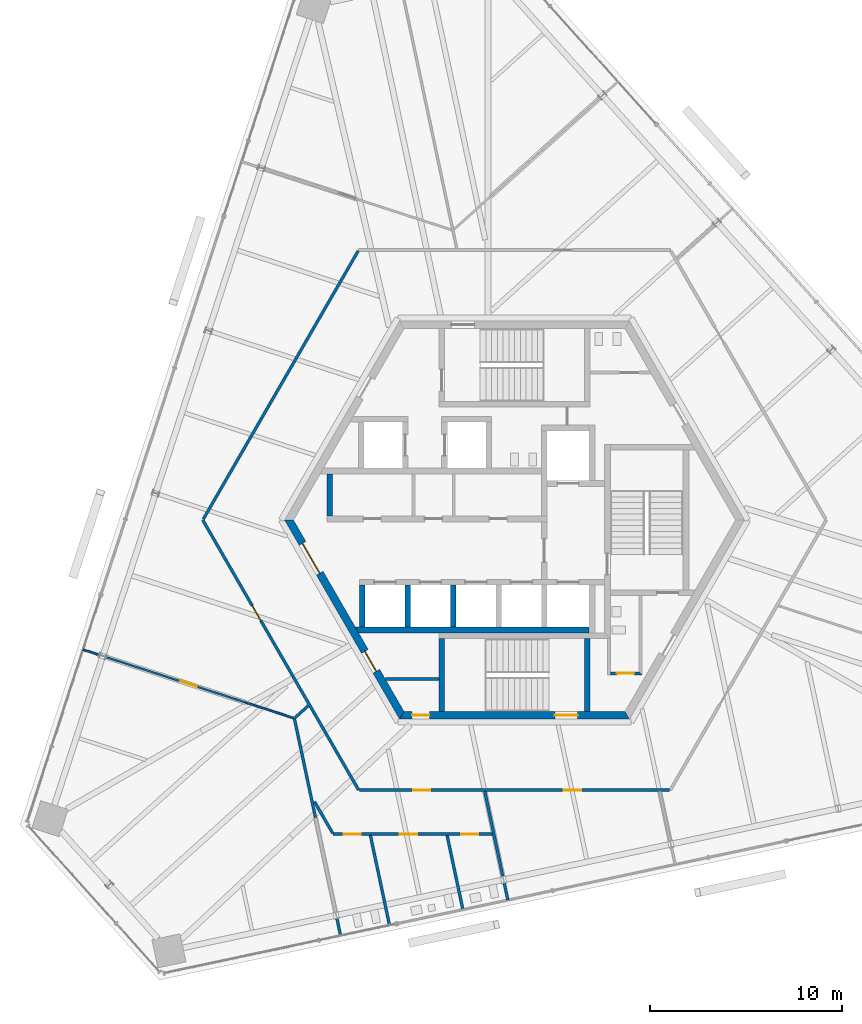
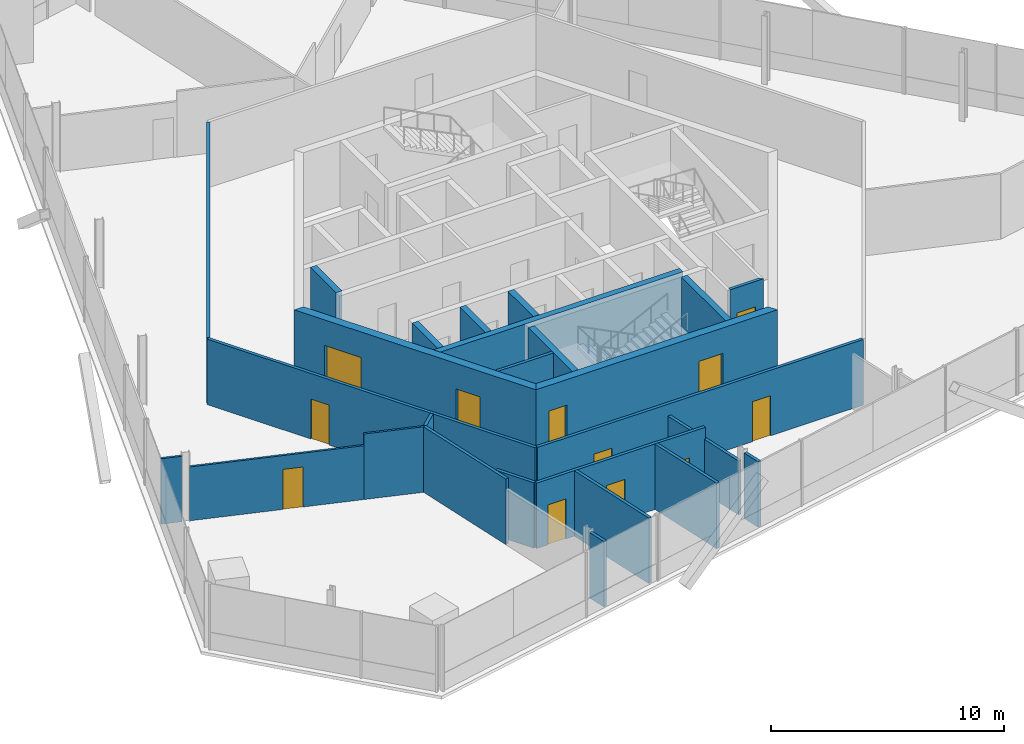
# One storey, part 10 of 15: 26 walls, 12 doors, 12 openings.
"""IFC4 building model written with IfcOpenShell, lengths in metres."""

import ifcopenshell
import ifcopenshell.guid

model = None  # the IFC model being written
_history = None  # IfcOwnerHistory: only IFC2X3 demands one
_inside = {}  # id of a spatial element -> (the spatial element, [elements in it])
_under = {}  # id of a project, library or spatial element -> (it, [spatial elements below it])
_declared = {}  # id of a project -> (the project, [libraries it declares])
_typed = {}  # id of a type object -> (the type object, [elements of that type])
_made_of = {}  # id of a material, layer set ... -> (it, [elements and type objects made of it])


def new_model(schema):
    """Start an empty IFC model of exactly this schema.

    Asked for "IFC4X3", IfcOpenShell would pick the latest addendum, in which some entities
    have other attributes; the version numbers below select the first issue.
    IFC2X3 requires an IfcOwnerHistory on every rooted entity: one is made here for all.
    """
    global model, _history
    if schema == "IFC4X3":
        model = ifcopenshell.file(schema_version=(4, 3, 0, 0))
    else:
        model = ifcopenshell.file(schema=schema)
    _inside.clear()
    _under.clear()
    _declared.clear()
    _typed.clear()
    _made_of.clear()
    _history = None
    if model.schema == "IFC2X3":
        org = make("IfcOrganization", Name="unknown")
        user = make(
            "IfcPersonAndOrganization",
            ThePerson=make("IfcPerson", FamilyName="unknown"),
            TheOrganization=org,
        )
        app = make(
            "IfcApplication",
            ApplicationDeveloper=org,
            Version="unknown",
            ApplicationFullName="unknown",
            ApplicationIdentifier="unknown",
        )
        _history = make(
            "IfcOwnerHistory",
            OwningUser=user,
            OwningApplication=app,
            ChangeAction="ADDED",
            CreationDate=0,
        )
    return model


def make(cls, **values):
    """One entity of the class cls with the attributes given. An attribute that is None is left unset."""
    return model.create_entity(
        cls, **{name: value for name, value in values.items() if value is not None}
    )


def rooted(cls, **values):
    """An entity with a GlobalId (a new one), such as an element, a storey or a relation."""
    return make(cls, GlobalId=ifcopenshell.guid.new(), OwnerHistory=_history, **values)


def si_unit(unit_type, name, prefix=None):
    """IfcSIUnit, for example si_unit("LENGTHUNIT", "METRE", prefix="MILLI")."""
    return make("IfcSIUnit", UnitType=unit_type, Prefix=prefix, Name=name)


def assignment(units):
    """IfcUnitAssignment: the units of a project."""
    return None if units is None else make("IfcUnitAssignment", Units=units)


def point(xyz):
    """IfcCartesianPoint."""
    return None if xyz is None else make("IfcCartesianPoint", Coordinates=xyz)


def direction(xyz):
    """IfcDirection."""
    return None if xyz is None else make("IfcDirection", DirectionRatios=xyz)


def frame(location, z_axis=None, x_axis=None):
    """IfcAxis2Placement3D, a coordinate frame: its origin and axes. An axis left out is left unset."""
    return make(
        "IfcAxis2Placement3D",
        Location=point(location),
        Axis=direction(z_axis),
        RefDirection=direction(x_axis),
    )


def frame_2d(location, x_axis=None):
    """IfcAxis2Placement2D, a coordinate frame in the plane: its origin and x axis."""
    return make(
        "IfcAxis2Placement2D", Location=point(location), RefDirection=direction(x_axis)
    )


def origin():
    """The frame at (0, 0, 0) with its axes left unset."""
    return frame((0.0, 0.0, 0.0))


def place(relative_to, where):
    """IfcLocalPlacement: puts the frame where relative to a parent placement (None: the world)."""
    return make(
        "IfcLocalPlacement", PlacementRelTo=relative_to, RelativePlacement=where
    )


def context(
    kind, dimensions, precision=None, world=None, true_north=None, identifier=None
):
    """IfcGeometricRepresentationContext, for example the 3D "Model" context."""
    return make(
        "IfcGeometricRepresentationContext",
        ContextIdentifier=identifier,
        ContextType=kind,
        CoordinateSpaceDimension=dimensions,
        Precision=precision,
        WorldCoordinateSystem=world,
        TrueNorth=true_north,
    )


def subcontext(parent, identifier, kind, view, scale=None):
    """IfcGeometricRepresentationSubContext, for example "Body" below "Model"."""
    return make(
        "IfcGeometricRepresentationSubContext",
        ContextIdentifier=identifier,
        ContextType=kind,
        ParentContext=parent,
        TargetScale=scale,
        TargetView=view,
    )


def project(units=None, contexts=None):
    """IfcProject with its units and contexts."""
    return rooted(
        "IfcProject",
        Name="project",
        RepresentationContexts=contexts,
        UnitsInContext=assignment(units),
    )


def spatial(cls, under=None, at=None, **own):
    """A site, building, storey or space (cls), placed at a placement, below another one or the project."""
    s = rooted(cls, ObjectPlacement=at, **own)
    if under is not None:
        _under.setdefault(under.id(), (under, []))[1].append(s)
    return s


def polyline(points):
    """IfcPolyline through the points."""
    return make("IfcPolyline", Points=[point(p) for p in points])


def profile(cls, at=None, kind="AREA", **sizes):
    """A parametric profile (cls). Its sizes go by their IFC names, for example OverallWidth=200.0."""
    return make(cls, ProfileType=kind, Position=at, **sizes)


def rectangle(**sizes):
    """IfcRectangleProfileDef."""
    return profile("IfcRectangleProfileDef", **sizes)


def outline(outer, holes=None, kind="AREA"):
    """IfcArbitraryClosedProfileDef: a profile drawn as a closed curve; with holes, ...WithVoids."""
    if holes is None:
        return make("IfcArbitraryClosedProfileDef", ProfileType=kind, OuterCurve=outer)
    return make(
        "IfcArbitraryProfileDefWithVoids",
        ProfileType=kind,
        OuterCurve=outer,
        InnerCurves=holes,
    )


def extrude(swept, where, along, depth):
    """IfcExtrudedAreaSolid: the profile swept, set in the frame where, extruded along a direction by depth."""
    return make(
        "IfcExtrudedAreaSolid",
        SweptArea=swept,
        Position=where,
        ExtrudedDirection=direction(along),
        Depth=depth,
    )


def shape(context_of_items, identifier, shape_type, items):
    """IfcShapeRepresentation: the items that make up one representation, for example the "Body"."""
    return make(
        "IfcShapeRepresentation",
        ContextOfItems=context_of_items,
        RepresentationIdentifier=identifier,
        RepresentationType=shape_type,
        Items=items,
    )


def source(mapping_origin, context_of_items, identifier, shape_type, items):
    """IfcRepresentationMap: a shape defined once, which mapped items show again and again."""
    return make(
        "IfcRepresentationMap",
        MappingOrigin=mapping_origin,
        MappedRepresentation=shape(context_of_items, identifier, shape_type, items),
    )


def transform(
    local_origin,
    x_axis=None,
    y_axis=None,
    z_axis=None,
    scale=None,
    scale2=None,
    scale3=None,
    uniform=True,
):
    """IfcCartesianTransformationOperator3D, or its non-uniform kind. x_axis, y_axis, z_axis: its Axis1, 2, 3."""
    if uniform:
        return make(
            "IfcCartesianTransformationOperator3D",
            Axis1=direction(x_axis),
            Axis2=direction(y_axis),
            LocalOrigin=point(local_origin),
            Scale=scale,
            Axis3=direction(z_axis),
        )
    return make(
        "IfcCartesianTransformationOperator3DnonUniform",
        Axis1=direction(x_axis),
        Axis2=direction(y_axis),
        LocalOrigin=point(local_origin),
        Scale=scale,
        Axis3=direction(z_axis),
        Scale2=scale2,
        Scale3=scale3,
    )


def mapped(mapping_source, mapping_target):
    """IfcMappedItem: shows the shape of a source again, moved by a transform."""
    return make(
        "IfcMappedItem", MappingSource=mapping_source, MappingTarget=mapping_target
    )


def material(Name=None, Category=None):
    """IfcMaterial."""
    return make("IfcMaterial", Name=Name, Category=Category)


def layer(
    of_material, thickness, ventilated=None, Name=None, Category=None, Priority=None
):
    """IfcMaterialLayer: one layer of a wall or slab, of a material (None: an air gap)."""
    return make(
        "IfcMaterialLayer",
        Material=of_material,
        LayerThickness=thickness,
        IsVentilated=ventilated,
        Name=Name,
        Category=Category,
        Priority=Priority,
    )


def layer_set(layers, Name=None):
    """IfcMaterialLayerSet."""
    return make("IfcMaterialLayerSet", MaterialLayers=layers, LayerSetName=Name)


def made_of(thing, what):
    """Note that an element or type object is made of a material, layer set ...; save() writes the relation."""
    if what is not None:
        _made_of.setdefault(what.id(), (what, []))[1].append(thing)
    return thing


def type_object(cls, material=None, **own):
    """A type object (cls), such as IfcWallType, which elements share."""
    return made_of(rooted(cls, **own), material)


def element(
    cls,
    number,
    at=None,
    inside=None,
    cuts=None,
    type_object=None,
    material=None,
    context=None,
    identifier="Body",
    shape_type=None,
    held_by="IfcProductDefinitionShape",
    body=None,
    shapes=None,
    **own,
):
    """One element of the class cls, such as IfcWall. Its Tag is "e" and its number.

    at: its placement. inside: the storey or other place that contains it. cuts: it is an
    opening in that element (IfcRelVoidsElement). A single representation is given by context,
    identifier, shape_type and body (its items); several are given by shapes. held_by: the class
    of the entity that holds the representations. save() writes the other relations.
    """
    e = rooted(cls, Tag="e%d" % number, ObjectPlacement=at, **own)
    if body is not None:
        shapes = [shape(context, identifier, shape_type, body)]
    if shapes is not None:
        e.Representation = make(held_by, Representations=shapes)
    if inside is not None:
        _inside.setdefault(inside.id(), (inside, []))[1].append(e)
    if cuts is not None:
        rooted(
            "IfcRelVoidsElement", RelatingBuildingElement=cuts, RelatedOpeningElement=e
        )
    if type_object is not None:
        _typed.setdefault(type_object.id(), (type_object, []))[1].append(e)
    return made_of(e, material)


def fill(opening, filler):
    """IfcRelFillsElement: the door or window that sits in an opening."""
    return rooted(
        "IfcRelFillsElement",
        RelatingOpeningElement=opening,
        RelatedBuildingElement=filler,
    )


def aggregate(whole, parts):
    """IfcRelAggregates: a whole, such as a stair, and the parts it consists of."""
    return rooted("IfcRelAggregates", RelatingObject=whole, RelatedObjects=parts)


def save(model, path):
    """Write the relations noted so far, then the file.

    IfcRelAggregates (storeys below a building ...), IfcRelContainedInSpatialStructure (elements
    in a storey), IfcRelDefinesByType, IfcRelAssociatesMaterial and IfcRelDeclares: one each for
    every whole, place, type object, material and project.
    """
    for whole, parts in _under.values():
        aggregate(whole, parts)
    for where, things in _inside.values():
        rooted(
            "IfcRelContainedInSpatialStructure",
            RelatedElements=things,
            RelatingStructure=where,
        )
    for kind, things in _typed.values():
        rooted("IfcRelDefinesByType", RelatedObjects=things, RelatingType=kind)
    for what, things in _made_of.values():
        rooted("IfcRelAssociatesMaterial", RelatedObjects=things, RelatingMaterial=what)
    for by, libraries in _declared.values():
        rooted("IfcRelDeclares", RelatingContext=by, RelatedDefinitions=libraries)
    model.write(path)


model = new_model("IFC4")

# Units and contexts
model_context = context("Model", 3, precision=1e-05, world=origin(), true_north=direction((0.0, 1.0)))
body_context = subcontext(model_context, "Body", "Model", "MODEL_VIEW")
ifc_project = project(units=[si_unit("LENGTHUNIT", "METRE"), si_unit("AREAUNIT", "SQUARE_METRE"), si_unit("VOLUMEUNIT", "CUBIC_METRE"), si_unit("PLANEANGLEUNIT", "RADIAN"), si_unit("MASSUNIT", "GRAM", prefix="KILO")], contexts=[model_context])

# Site, building, storey
site_placement = place(None, origin())
site = spatial("IfcSite", under=ifc_project, at=site_placement, CompositionType="ELEMENT")
building_placement = place(site_placement, origin())
building = spatial("IfcBuilding", under=site, at=building_placement, Name="Triune Harvest Tower", CompositionType="ELEMENT")
storey_placement = place(building_placement, frame((0.0, 0.0, 270.300048828125)))
storey = spatial("IfcBuildingStorey", under=building, at=storey_placement, Name="L71", CompositionType="ELEMENT", Elevation=270.300048828125)

# Walls
ifc_material_1 = material(Name="Gypsum board on steel studs", Category="steel")
ifc_layer_1 = layer(ifc_material_1, 0.14990234375)
ifc_layer_set_1 = layer_set([ifc_layer_1], Name="Gypsum board on steel studs")
wall_type_1 = type_object("IfcWallType", Name="Fire Partition 150 mm", PredefinedType="PARTITIONING", material=ifc_layer_set_1)
wall_1_placement = place(storey_placement, frame((-11.491943359375, -10.34716796875, 0.0), z_axis=(0.0, 0.0, 1.0), x_axis=(0.207927618858, -0.978144214989, 0.0)))
element("IfcWall", 1, at=wall_1_placement, inside=storey, type_object=wall_type_1, Name="Partition L71 001", PredefinedType="PARTITIONING", context=body_context, shape_type="SweptSolid", body=[
    extrude(rectangle(XDim=5.300048828125, YDim=0.14990234375, at=frame_2d((2.64990234375, 0.0))), origin(), (0.0, 0.0, 1.0), 3.43994140625),
])
wall_2_placement = place(storey_placement, frame((-7.522705078125, -16.460693359375, 0.0), z_axis=(0.0, 0.0, 1.0), x_axis=(0.207876422893, -0.978155096498, 0.0)))
element("IfcWall", 2, at=wall_2_placement, inside=storey, type_object=wall_type_1, Name="Partition L71 003", PredefinedType="PARTITIONING", context=body_context, shape_type="SweptSolid", body=[
    extrude(rectangle(XDim=4.79296875, YDim=0.14990234375, at=frame_2d((2.396484375, 0.0))), origin(), (0.0, 0.0, 1.0), 3.43994140625),
])
wall_3_placement = place(storey_placement, frame((-3.5185546875, -16.460693359375, 0.0), z_axis=(0.0, 0.0, 1.0), x_axis=(0.207861704825, -0.97815822425, 0.0)))
element("IfcWall", 3, at=wall_3_placement, inside=storey, type_object=wall_type_1, Name="Partition L71 004", PredefinedType="PARTITIONING", context=body_context, shape_type="SweptSolid", body=[
    extrude(rectangle(XDim=3.96044921875, YDim=0.14990234375, at=frame_2d((1.980224609375, 0.0))), origin(), (0.0, 0.0, 1.0), 3.43994140625),
])
wall_4_placement = place(storey_placement, frame((-1.5537109375, -14.160888671875, 0.0), z_axis=(0.0, 0.0, 1.0), x_axis=(0.207856186366, -0.978159396923, 0.0)))
element("IfcWall", 4, at=wall_4_placement, inside=storey, type_object=wall_type_1, Name="Partition L71 005", PredefinedType="PARTITIONING", context=body_context, shape_type="SweptSolid", body=[
    extrude(rectangle(XDim=4.545654296875, YDim=0.14990234375, at=frame_2d((2.27294921875, 0.0))), origin(), (0.0, 0.0, 1.0), 2.82763671875),
])
wall_5_placement = place(storey_placement, frame((-10.4384765625, -14.70458984375, 0.0), z_axis=(0.0, 0.0, 1.0), x_axis=(0.499996970966, -0.866027152591, 0.0)))
element("IfcWall", 5, at=wall_5_placement, inside=storey, type_object=wall_type_1, Name="Partition L71 011", PredefinedType="PARTITIONING", context=body_context, shape_type="SweptSolid", body=[
    extrude(rectangle(XDim=1.89892578125, YDim=0.14990234375, at=frame_2d((0.949462890625, 0.0))), origin(), (0.0, 0.0, 1.0), 3.43994140625),
])

# Wall, openings, doors
wall_6_placement = place(storey_placement, frame((-9.464111328125, -16.392333984375, 0.0), z_axis=(0.0, 0.0, 1.0), x_axis=(1.0, 0.0, 0.0)))
wall_6 = element("IfcWall", 6, at=wall_6_placement, inside=storey, type_object=wall_type_1, Name="Partition L71 020", PredefinedType="PARTITIONING", context=body_context, shape_type="SweptSolid", body=[
    extrude(rectangle(XDim=8.384521484375, YDim=0.14990234375, at=frame_2d((4.1923828125, 0.0))), origin(), (0.0, 0.0, 1.0), 3.43994140625),
])
opening_1_placement = place(wall_6_placement, frame((0.550048828125, 0.0, 0.0)))
opening_1 = element("IfcOpeningElement", 7, at=opening_1_placement, cuts=wall_6, Name="Opening L71-008", PredefinedType="OPENING", context=body_context, shape_type="SweptSolid", body=[
    extrude(rectangle(XDim=0.89990234375, YDim=2.10009765625, at=frame_2d((0.449951171875, 1.050048828125))), frame((0.0, 0.0849609375, 0.0), z_axis=(0.0, -1.0, 0.0), x_axis=(1.0, 0.0, 0.0)), (0.0, 0.0, 1.0), 0.169921875),
])
opening_2_placement = place(wall_6_placement, frame((3.476806640625, 0.0, 0.0)))
opening_2 = element("IfcOpeningElement", 8, at=opening_2_placement, cuts=wall_6, Name="Opening L71-009", PredefinedType="OPENING", context=body_context, shape_type="SweptSolid", body=[
    extrude(rectangle(XDim=0.89990234375, YDim=2.10009765625, at=frame_2d((0.449951171875, 1.050048828125))), frame((0.0, 0.0849609375, 0.0), z_axis=(0.0, -1.0, 0.0), x_axis=(1.0, 0.0, 0.0)), (0.0, 0.0, 1.0), 0.169921875),
])
opening_3_placement = place(wall_6_placement, frame((6.680908203125, 0.0, 0.0)))
opening_3 = element("IfcOpeningElement", 9, at=opening_3_placement, cuts=wall_6, Name="Opening L71-010", PredefinedType="OPENING", context=body_context, shape_type="SweptSolid", body=[
    extrude(rectangle(XDim=0.89990234375, YDim=2.10009765625, at=frame_2d((0.449951171875, 1.050048828125))), frame((0.0, 0.0849609375, 0.0), z_axis=(0.0, -1.0, 0.0), x_axis=(1.0, 0.0, 0.0)), (0.0, 0.0, 1.0), 0.169921875),
])
ifc_material_2 = material(Name="Timber and steel door set", Category="steel")
door_type_1 = type_object("IfcDoorType", Name="Single leaf door FD30 left hand 900 x 2100", OperationType="SINGLE_SWING_LEFT", PredefinedType="DOOR", material=ifc_material_2)
door_1_placement = place(opening_3_placement, origin())
door_1 = element("IfcDoor", 10, at=door_1_placement, inside=storey, type_object=door_type_1, Name="Door L71-010 Accessible WC 71.10", OperationType="SINGLE_SWING_LEFT", OverallHeight=2.10009765625, OverallWidth=0.89990234375, PredefinedType="DOOR", context=body_context, shape_type="SweptSolid", body=[
    extrude(rectangle(XDim=0.89990234375, YDim=2.10009765625, at=frame_2d((0.449951171875, 1.050048828125))), frame((0.0, 0.02490234375, 0.0), z_axis=(0.0, -1.0, 0.0), x_axis=(1.0, 0.0, 0.0)), (0.0, 0.0, 1.0), 0.050048828125),
])
fill(opening_3, door_1)
ifc_material_3 = material(Name="Timber and steel door set", Category="steel")
door_type_2 = type_object("IfcDoorType", Name="Single leaf door FD30 right hand 900 x 2100", OperationType="SINGLE_SWING_RIGHT", PredefinedType="DOOR", material=ifc_material_3)
door_2_placement = place(opening_1_placement, origin())
door_2 = element("IfcDoor", 11, at=door_2_placement, inside=storey, type_object=door_type_2, Name="Door L71-008 Women's WC 71.08", OperationType="SINGLE_SWING_RIGHT", OverallHeight=2.10009765625, OverallWidth=0.89990234375, PredefinedType="DOOR", context=body_context, shape_type="SweptSolid", body=[
    extrude(rectangle(XDim=0.89990234375, YDim=2.10009765625, at=frame_2d((0.449951171875, 1.050048828125))), frame((0.0, 0.02490234375, 0.0), z_axis=(0.0, -1.0, 0.0), x_axis=(1.0, 0.0, 0.0)), (0.0, 0.0, 1.0), 0.050048828125),
])
fill(opening_1, door_2)
door_3_placement = place(opening_2_placement, origin())
door_3 = element("IfcDoor", 12, at=door_3_placement, inside=storey, type_object=door_type_2, Name="Door L71-009 Men's WC 71.09", OperationType="SINGLE_SWING_RIGHT", OverallHeight=2.10009765625, OverallWidth=0.89990234375, PredefinedType="DOOR", context=body_context, shape_type="SweptSolid", body=[
    extrude(rectangle(XDim=0.89990234375, YDim=2.10009765625, at=frame_2d((0.449951171875, 1.050048828125))), frame((0.0, 0.02490234375, 0.0), z_axis=(0.0, -1.0, 0.0), x_axis=(1.0, 0.0, 0.0)), (0.0, 0.0, 1.0), 0.050048828125),
])
fill(opening_2, door_3)

wall_7_placement = place(storey_placement, frame((-8.09619140625, -14.09228515625, 0.0), z_axis=(0.0, 0.0, 1.0), x_axis=(1.0, 0.0, 0.0)))
wall_7 = element("IfcWall", 13, at=wall_7_placement, inside=storey, type_object=wall_type_1, Name="Partition L71 021", PredefinedType="PARTITIONING", context=body_context, shape_type="SweptSolid", body=[
    extrude(rectangle(XDim=16.182373046875, YDim=0.14990234375, at=frame_2d((8.09130859375, 0.0))), origin(), (0.0, 0.0, 1.0), 3.43994140625),
])
opening_4_placement = place(wall_7_placement, frame((2.81005859375, 0.0, 0.0)))
opening_4 = element("IfcOpeningElement", 14, at=opening_4_placement, cuts=wall_7, Name="Opening L71-007", PredefinedType="OPENING", context=body_context, shape_type="SweptSolid", body=[
    extrude(rectangle(XDim=0.89990234375, YDim=2.10009765625, at=frame_2d((0.449951171875, 1.050048828125))), frame((0.0, 0.0849609375, 0.0), z_axis=(0.0, -1.0, 0.0), x_axis=(1.0, 0.0, 0.0)), (0.0, 0.0, 1.0), 0.169921875),
])
opening_5_placement = place(wall_7_placement, frame((10.677734375, 0.0, 0.0)))
opening_5 = element("IfcOpeningElement", 15, at=opening_5_placement, cuts=wall_7, Name="Opening L71-011", PredefinedType="OPENING", context=body_context, shape_type="SweptSolid", body=[
    extrude(rectangle(XDim=0.89990234375, YDim=2.10009765625, at=frame_2d((0.449951171875, 1.050048828125))), frame((0.0, 0.0849609375, 0.0), z_axis=(0.0, -1.0, 0.0), x_axis=(1.0, 0.0, 0.0)), (0.0, 0.0, 1.0), 0.169921875),
])
door_4_placement = place(opening_5_placement, origin())
door_4 = element("IfcDoor", 16, at=door_4_placement, inside=storey, type_object=door_type_1, Name="Door L71-011 Open Office 71.11", OperationType="SINGLE_SWING_LEFT", OverallHeight=2.10009765625, OverallWidth=0.89990234375, PredefinedType="DOOR", context=body_context, shape_type="SweptSolid", body=[
    extrude(rectangle(XDim=0.89990234375, YDim=2.10009765625, at=frame_2d((0.449951171875, 1.050048828125))), frame((0.0, 0.02490234375, 0.0), z_axis=(0.0, -1.0, 0.0), x_axis=(1.0, 0.0, 0.0)), (0.0, 0.0, 1.0), 0.050048828125),
])
fill(opening_5, door_4)
door_5_placement = place(opening_4_placement, origin())
door_5 = element("IfcDoor", 17, at=door_5_placement, inside=storey, type_object=door_type_2, Name="Door L71-007 WC lobby 71.07", OperationType="SINGLE_SWING_RIGHT", OverallHeight=2.10009765625, OverallWidth=0.89990234375, PredefinedType="DOOR", context=body_context, shape_type="SweptSolid", body=[
    extrude(rectangle(XDim=0.89990234375, YDim=2.10009765625, at=frame_2d((0.449951171875, 1.050048828125))), frame((0.0, 0.02490234375, 0.0), z_axis=(0.0, -1.0, 0.0), x_axis=(1.0, 0.0, 0.0)), (0.0, 0.0, 1.0), 0.050048828125),
])
fill(opening_4, door_5)

# Walls
wall_8_placement = place(storey_placement, frame((-11.45458984375, -10.313720703125, 0.0), z_axis=(0.0, 0.0, 1.0), x_axis=(0.743151556528, 0.669123130694, 0.0)))
element("IfcWall", 18, at=wall_8_placement, inside=storey, type_object=wall_type_1, Name="Partition L71 024", PredefinedType="PARTITIONING", context=body_context, shape_type="SweptSolid", body=[
    extrude(rectangle(XDim=0.9365234375, YDim=0.14990234375, at=frame_2d((0.46826171875, 0.0))), origin(), (0.0, 0.0, 1.0), 3.43994140625),
])
wall_9_placement = place(storey_placement, frame((-16.247314453125, 0.043212890625, 0.0), z_axis=(0.0, 0.0, 1.0), x_axis=(0.499995128777, 0.866028216168, 0.0)))
element("IfcWall", 19, at=wall_9_placement, inside=storey, type_object=wall_type_1, Name="Partition L71 030", PredefinedType="PARTITIONING", context=body_context, shape_type="SweptSolid", body=[
    extrude(rectangle(XDim=16.172607421875, YDim=0.14990234375, at=frame_2d((8.08642578125, 0.0))), origin(), (0.0, 0.0, 1.0), 3.43994140625),
])
ifc_material_4 = material(Name="Gypsum board on steel studs", Category="steel")
ifc_layer_2 = layer(ifc_material_4, 0.10009765625)
ifc_layer_set_2 = layer_set([ifc_layer_2], Name="Gypsum board on steel studs")
wall_type_2 = type_object("IfcWallType", Name="Partition 100 mm", PredefinedType="PARTITIONING", material=ifc_layer_set_2)
wall_10_placement = place(storey_placement, frame((-14.039306640625, -9.51953125, 0.0), z_axis=(0.0, 0.0, 1.0), x_axis=(0.951070782935, -0.308973082722, 0.0)))
element("IfcWall", 20, at=wall_10_placement, inside=storey, type_object=wall_type_2, Name="Partition L71 015a", PredefinedType="PARTITIONING", context=body_context, shape_type="SweptSolid", body=[
    extrude(rectangle(XDim=2.638427734375, YDim=0.10009765625, at=frame_2d((1.3193359375, 0.0))), origin(), (0.0, 0.0, 1.0), 3.43994140625),
])

# Wall, openings, doors
ifc_material_5 = material(Name="Concrete 70 MPa", Category="concrete")
ifc_layer_3 = layer(ifc_material_5, 0.39990234375)
ifc_layer_set_3 = layer_set([ifc_layer_3], Name="Concrete 70 MPa")
wall_type_3 = type_object("IfcWallType", Name="Core wall 400", PredefinedType="SHEAR", material=ifc_layer_set_3)
shared_shape_1 = source(origin(), body_context, "Body", "SweptSolid", [
    extrude(outline(polyline([(-0.115478515625, -0.199951171875), (11.884521484375, -0.199951171875), (11.653564453125, 0.199951171875), (0.115478515625, 0.199951171875), (-0.115478515625, -0.199951171875)])), origin(), (0.0, 0.0, 1.0), 3.43994140625),
])
wall_11_placement = place(storey_placement, frame((-11.76904296875, 0.0, 0.0), z_axis=(0.0, 0.0, 1.0), x_axis=(0.499996592174, -0.866027371285, 0.0)))
wall_11 = element("IfcWall", 21, at=wall_11_placement, inside=storey, type_object=wall_type_3, Name="Hexagon 3 wall", PredefinedType="SHEAR", context=body_context, shape_type="MappedRepresentation", body=[
    mapped(shared_shape_1, transform((0.0, 0.0, 0.0), scale=1.0)),
])
opening_6_placement = place(wall_11_placement, frame((1.404541015625, 0.0, 0.0)))
opening_6 = element("IfcOpeningElement", 22, at=opening_6_placement, cuts=wall_11, Name="Opening CD-LS", PredefinedType="OPENING", context=body_context, shape_type="SweptSolid", body=[
    extrude(rectangle(XDim=1.800048828125, YDim=2.10009765625, at=frame_2d((0.89990234375, 1.050048828125))), frame((0.0, 0.2099609375, 0.0), z_axis=(0.0, -1.0, 0.0), x_axis=(1.0, 0.0, 0.0)), (0.0, 0.0, 1.0), 0.419921875),
])
opening_7_placement = place(wall_11_placement, frame((7.91455078125, 0.0, 0.0)))
opening_7 = element("IfcOpeningElement", 23, at=opening_7_placement, cuts=wall_11, Name="Opening CD-SWP", PredefinedType="OPENING", context=body_context, shape_type="SweptSolid", body=[
    extrude(rectangle(XDim=1.199951171875, YDim=2.10009765625, at=frame_2d((0.60009765625, 1.050048828125))), frame((0.0, 0.2099609375, 0.0), z_axis=(0.0, -1.0, 0.0), x_axis=(1.0, 0.0, 0.0)), (0.0, 0.0, 1.0), 0.419921875),
])
ifc_material_6 = material(Name="Steel S235", Category="steel")
door_type_3 = type_object("IfcDoorType", Name="Lobby door 1800 FD120", OperationType="DOUBLE_DOOR_DOUBLE_SWING", PredefinedType="DOOR", material=ifc_material_6)
door_6_placement = place(opening_6_placement, frame((1.800048828125, 0.0, 0.0), z_axis=(0.0, 0.0, 1.0), x_axis=(-1.0, 0.0, 0.0)))
door_6 = element("IfcDoor", 24, at=door_6_placement, inside=storey, type_object=door_type_3, Name="Door CD-LS", OperationType="DOUBLE_DOOR_DOUBLE_SWING", OverallHeight=2.10009765625, OverallWidth=1.800048828125, PredefinedType="DOOR", context=body_context, shape_type="SweptSolid", body=[
    extrude(rectangle(XDim=1.800048828125, YDim=2.10009765625, at=frame_2d((0.89990234375, 1.050048828125))), frame((0.0, 0.02490234375, 0.0), z_axis=(0.0, -1.0, 0.0), x_axis=(1.0, 0.0, 0.0)), (0.0, 0.0, 1.0), 0.050048828125),
])
fill(opening_6, door_6)
ifc_material_7 = material(Name="Steel S235", Category="steel")
door_type_4 = type_object("IfcDoorType", Name="Service door 1200 FD120", OperationType="SINGLE_SWING_LEFT", PredefinedType="DOOR", material=ifc_material_7)
door_7_placement = place(opening_7_placement, frame((1.199951171875, 0.0, 0.0), z_axis=(0.0, 0.0, 1.0), x_axis=(-1.0, 0.0, 0.0)))
door_7 = element("IfcDoor", 25, at=door_7_placement, inside=storey, type_object=door_type_4, Name="Door CD-SWP", OperationType="SINGLE_SWING_RIGHT", OverallHeight=2.10009765625, OverallWidth=1.199951171875, PredefinedType="DOOR", context=body_context, shape_type="SweptSolid", body=[
    extrude(rectangle(XDim=1.199951171875, YDim=2.10009765625, at=frame_2d((0.60009765625, 1.050048828125))), frame((0.0, 0.02490234375, 0.0), z_axis=(0.0, -1.0, 0.0), x_axis=(1.0, 0.0, 0.0)), (0.0, 0.0, 1.0), 0.050048828125),
])
fill(opening_7, door_7)

wall_12_placement = place(storey_placement, frame((-5.884521484375, -10.1923828125, 0.0), z_axis=(0.0, 0.0, 1.0), x_axis=(1.0, 0.0, 0.0)))
wall_12 = element("IfcWall", 26, at=wall_12_placement, inside=storey, type_object=wall_type_3, Name="Hexagon 4 wall", PredefinedType="SHEAR", context=body_context, shape_type="MappedRepresentation", body=[
    mapped(shared_shape_1, transform((0.0, 0.0, 0.0), scale=1.0)),
])
opening_8_placement = place(wall_12_placement, frame((7.984619140625, 0.0, 0.0)))
opening_8 = element("IfcOpeningElement", 27, at=opening_8_placement, cuts=wall_12, Name="Opening CD-S2P", PredefinedType="OPENING", context=body_context, shape_type="SweptSolid", body=[
    extrude(rectangle(XDim=1.199951171875, YDim=2.10009765625, at=frame_2d((0.60009765625, 1.050048828125))), frame((0.0, 0.2099609375, 0.0), z_axis=(0.0, -1.0, 0.0), x_axis=(1.0, 0.0, 0.0)), (0.0, 0.0, 1.0), 0.419921875),
])
opening_9_placement = place(wall_12_placement, frame((0.534423828125, 0.0, 0.0)))
opening_9 = element("IfcOpeningElement", 28, at=opening_9_placement, cuts=wall_12, Name="Opening CD-SWS", PredefinedType="OPENING", context=body_context, shape_type="SweptSolid", body=[
    extrude(rectangle(XDim=0.89990234375, YDim=2.10009765625, at=frame_2d((0.449951171875, 1.050048828125))), frame((0.0, 0.2099609375, 0.0), z_axis=(0.0, -1.0, 0.0), x_axis=(1.0, 0.0, 0.0)), (0.0, 0.0, 1.0), 0.419921875),
])
ifc_material_8 = material(Name="Steel S235", Category="steel")
door_type_5 = type_object("IfcDoorType", Name="Riser door 900 FD120", OperationType="SINGLE_SWING_LEFT", PredefinedType="DOOR", material=ifc_material_8)
door_8_placement = place(opening_9_placement, frame((0.89990234375, 0.0, 0.0), z_axis=(0.0, 0.0, 1.0), x_axis=(-1.0, 0.0, 0.0)))
door_8 = element("IfcDoor", 29, at=door_8_placement, inside=storey, type_object=door_type_5, Name="Door CD-SWS", OperationType="SINGLE_SWING_RIGHT", OverallHeight=2.10009765625, OverallWidth=0.89990234375, PredefinedType="DOOR", context=body_context, shape_type="SweptSolid", body=[
    extrude(rectangle(XDim=0.89990234375, YDim=2.10009765625, at=frame_2d((0.449951171875, 1.050048828125))), frame((0.0, 0.02490234375, 0.0), z_axis=(0.0, -1.0, 0.0), x_axis=(1.0, 0.0, 0.0)), (0.0, 0.0, 1.0), 0.050048828125),
])
fill(opening_9, door_8)
ifc_material_9 = material(Name="Steel S235", Category="steel")
door_type_6 = type_object("IfcDoorType", Name="Stair door 1200 FD120", OperationType="SINGLE_SWING_LEFT", PredefinedType="DOOR", material=ifc_material_9)
door_9_placement = place(opening_8_placement, frame((1.199951171875, 0.0, 0.0), z_axis=(0.0, 0.0, 1.0), x_axis=(-1.0, 0.0, 0.0)))
door_9 = element("IfcDoor", 30, at=door_9_placement, inside=storey, type_object=door_type_6, Name="Door CD-S2P", OperationType="SINGLE_SWING_RIGHT", OverallHeight=2.10009765625, OverallWidth=1.199951171875, PredefinedType="DOOR", context=body_context, shape_type="SweptSolid", body=[
    extrude(rectangle(XDim=1.199951171875, YDim=2.10009765625, at=frame_2d((0.60009765625, 1.050048828125))), frame((0.0, 0.02490234375, 0.0), z_axis=(0.0, -1.0, 0.0), x_axis=(1.0, 0.0, 0.0)), (0.0, 0.0, 1.0), 0.050048828125),
])
fill(opening_8, door_9)

# Walls
ifc_material_10 = material(Name="Concrete 70 MPa", Category="concrete")
ifc_layer_4 = layer(ifc_material_10, 0.300048828125)
ifc_layer_set_4 = layer_set([ifc_layer_4], Name="Concrete 70 MPa")
wall_type_4 = type_object("IfcWallType", Name="Core wall 300", PredefinedType="SHEAR", material=ifc_layer_set_4)
shared_shape_2 = source(origin(), body_context, "Body", "SweptSolid", [
    extrude(outline(polyline([(12.0, -0.14990234375), (-0.039794921875, -0.14990234375), (-0.212890625, 0.14990234375), (12.0, 0.14990234375), (12.0, -0.14990234375)])), origin(), (0.0, 0.0, 1.0), 3.43994140625),
])
wall_13_placement = place(storey_placement, frame((-8.10009765625, -5.739990234375, 0.0), z_axis=(0.0, 0.0, 1.0), x_axis=(1.0, 0.0, 0.0)))
element("IfcWall", 31, at=wall_13_placement, inside=storey, type_object=wall_type_4, Name="South back wall", PredefinedType="SHEAR", context=body_context, shape_type="MappedRepresentation", body=[
    mapped(shared_shape_2, transform((0.0, 0.0, 0.0), scale=1.0)),
])
shared_shape_3 = source(origin(), body_context, "Body", "SweptSolid", [
    extrude(rectangle(XDim=2.2001953125, YDim=0.300048828125, at=frame_2d((1.10009765625, 0.0))), origin(), (0.0, 0.0, 1.0), 3.43994140625),
])
for number, where, z_axis, x_axis, name in (
    (32, (-7.949951171875, -5.590087890625, 0.0), (0.0, 0.0, 1.0), (0.0, 1.0, 0.0), "South end west wall"),
    (33, (-5.574951171875, -5.590087890625, 0.0), (0.0, 0.0, 1.0), (0.0, 1.0, 0.0), "South cross 1 wall"),
    (34, (-3.199951171875, -5.590087890625, 0.0), (0.0, 0.0, 1.0), (0.0, 1.0, 0.0), "South cross 2 wall"),
):
    element("IfcWall", number, at=place(storey_placement, frame(where, z_axis=z_axis, x_axis=x_axis)), inside=storey, type_object=wall_type_4, Name=name, PredefinedType="SHEAR", context=body_context, shape_type="MappedRepresentation", body=[
        mapped(shared_shape_3, transform((0.0, 0.0, 0.0), scale=1.0)),
    ])
shared_shape_4 = source(origin(), body_context, "Body", "SweptSolid", [
    extrude(rectangle(XDim=2.199951171875, YDim=0.300048828125, at=frame_2d((1.10009765625, 0.0))), origin(), (0.0, 0.0, 1.0), 3.43994140625),
])
wall_14_placement = place(storey_placement, frame((-9.64990234375, 0.2099609375, 0.0), z_axis=(0.0, 0.0, 1.0), x_axis=(0.0, 1.0, 0.0)))
element("IfcWall", 35, at=wall_14_placement, inside=storey, type_object=wall_type_4, Name="North end west wall", PredefinedType="SHEAR", context=body_context, shape_type="MappedRepresentation", body=[
    mapped(shared_shape_4, transform((0.0, 0.0, 0.0), scale=1.0)),
])
shared_shape_5 = source(origin(), body_context, "Body", "SweptSolid", [
    extrude(outline(polyline([(3.800048828125, -0.14990234375), (-0.00439453125, -0.14990234375), (-0.00439453125, 0.14990234375), (3.800048828125, 0.14990234375), (3.800048828125, -0.14990234375)])), origin(), (0.0, 0.0, 1.0), 3.43994140625),
])
for number, where, z_axis, x_axis, name in (
    (36, (-3.800048828125, -9.989990234375, 0.0), (0.0, 0.0, 1.0), (0.0, 1.0, 0.0), "Stair s west wall"),
    (37, (3.800048828125, -9.989990234375, 0.0), (0.0, 0.0, 1.0), (0.0, 1.0, 0.0), "Stair s east wall"),
):
    element("IfcWall", number, at=place(storey_placement, frame(where, z_axis=z_axis, x_axis=x_axis)), inside=storey, type_object=wall_type_4, Name=name, PredefinedType="SHEAR", context=body_context, shape_type="MappedRepresentation", body=[
        mapped(shared_shape_5, transform((0.0, 0.0, 0.0), scale=1.0)),
    ])

# Wall, opening, door
ifc_material_11 = material(Name="Concrete masonry unit", Category="masonry")
ifc_layer_5 = layer(ifc_material_11, 0.14990234375)
ifc_layer_set_5 = layer_set([ifc_layer_5], Name="Concrete masonry unit")
wall_type_5 = type_object("IfcWallType", Name="Block partition 150 unrated", PredefinedType="PARTITIONING", material=ifc_layer_set_5)
shared_shape_6 = source(origin(), body_context, "Body", "SweptSolid", [
    extrude(outline(polyline([(0.0, -0.074951171875), (1.64990234375, -0.074951171875), (1.5, 0.074951171875), (0.0, 0.074951171875), (0.0, -0.074951171875)])), origin(), (0.0, 0.0, 1.0), 3.43994140625),
])
wall_15_placement = place(storey_placement, frame((5.0, -8.0, 0.0), z_axis=(0.0, 0.0, 1.0), x_axis=(1.0, 0.0, 0.0)))
wall_15 = element("IfcWall", 38, at=wall_15_placement, inside=storey, type_object=wall_type_5, Name="Wc acc south wall", PredefinedType="PARTITIONING", context=body_context, shape_type="MappedRepresentation", body=[
    mapped(shared_shape_6, transform((0.0, 0.0, 0.0), scale=1.0)),
])
opening_10_placement = place(wall_15_placement, frame((0.33740234375, 0.0, 0.0)))
opening_10 = element("IfcOpeningElement", 39, at=opening_10_placement, cuts=wall_15, Name="Opening CD-WA", PredefinedType="OPENING", context=body_context, shape_type="SweptSolid", body=[
    extrude(rectangle(XDim=0.89990234375, YDim=2.10009765625, at=frame_2d((0.449951171875, 1.050048828125))), frame((0.0, 0.0849609375, 0.0), z_axis=(0.0, -1.0, 0.0), x_axis=(1.0, 0.0, 0.0)), (0.0, 0.0, 1.0), 0.169921875),
])
ifc_material_12 = material(Name="Timber C24", Category="wood")
door_type_7 = type_object("IfcDoorType", Name="WC door 900", OperationType="SINGLE_SWING_LEFT", PredefinedType="DOOR", material=ifc_material_12)
door_10_placement = place(opening_10_placement, origin())
door_10 = element("IfcDoor", 40, at=door_10_placement, inside=storey, type_object=door_type_7, Name="Door CD-WA", OperationType="SINGLE_SWING_LEFT", OverallHeight=2.10009765625, OverallWidth=0.89990234375, PredefinedType="DOOR", context=body_context, shape_type="SweptSolid", body=[
    extrude(rectangle(XDim=0.89990234375, YDim=2.10009765625, at=frame_2d((0.449951171875, 1.050048828125))), frame((0.0, 0.02490234375, 0.0), z_axis=(0.0, -1.0, 0.0), x_axis=(1.0, 0.0, 0.0)), (0.0, 0.0, 1.0), 0.050048828125),
])
fill(opening_10, door_10)

# Walls
ifc_material_13 = material(Name="Concrete masonry unit", Category="masonry")
ifc_layer_6 = layer(ifc_material_13, 0.14990234375)
ifc_layer_set_6 = layer_set([ifc_layer_6], Name="Concrete masonry unit")
wall_type_6 = type_object("IfcWallType", Name="Block partition 150", PredefinedType="PARTITIONING", material=ifc_layer_set_6)
shared_shape_7 = source(origin(), body_context, "Body", "SweptSolid", [
    extrude(rectangle(XDim=2.777099609375, YDim=0.14990234375, at=frame_2d((1.388671875, 0.0))), origin(), (0.0, 0.0, 1.0), 3.43994140625),
])
wall_16_placement = place(storey_placement, frame((-6.72705078125, -8.300048828125, 0.0), z_axis=(0.0, 0.0, 1.0), x_axis=(1.0, 0.0, 0.0)))
element("IfcWall", 41, at=wall_16_placement, inside=storey, type_object=wall_type_6, Name="Sw part wall", PredefinedType="PARTITIONING", context=body_context, shape_type="MappedRepresentation", body=[
    mapped(shared_shape_7, transform((0.0, 0.0, 0.0), scale=1.0)),
])
shared_shape_8 = source(origin(), body_context, "Body", "SweptSolid", [
    extrude(rectangle(XDim=0.91552734375, YDim=0.10009765625, at=frame_2d((0.457763671875, 0.0))), origin(), (0.0, 0.0, 1.0), 3.43994140625),
])
wall_17_placement = place(storey_placement, frame((-22.522216796875, -6.76318359375, 0.0), z_axis=(0.0, 0.0, 1.0), x_axis=(0.951030148904, -0.309098133084, 0.0)))
element("IfcWall", 42, at=wall_17_placement, inside=storey, type_object=wall_type_2, Name="Partition L71 014", PredefinedType="PARTITIONING", context=body_context, shape_type="MappedRepresentation", body=[
    mapped(shared_shape_8, transform((0.0, 0.0, 0.0), scale=1.0)),
])
shared_shape_9 = source(origin(), body_context, "Body", "SweptSolid", [
    extrude(rectangle(XDim=0.915283203125, YDim=0.14990234375, at=frame_2d((0.45751953125, 0.0))), origin(), (0.0, 0.0, 1.0), 3.43994140625),
])
wall_18_placement = place(storey_placement, frame((-9.270751953125, -20.796630859375, 0.0), z_axis=(0.0, 0.0, 1.0), x_axis=(0.20805334987, -0.978117479451, 0.0)))
element("IfcWall", 43, at=wall_18_placement, inside=storey, type_object=wall_type_1, Name="Partition L71 002", PredefinedType="PARTITIONING", context=body_context, shape_type="MappedRepresentation", body=[
    mapped(shared_shape_9, transform((0.0, 0.0, 0.0), scale=1.0)),
])
shared_shape_10 = source(origin(), body_context, "Body", "SweptSolid", [
    extrude(rectangle(XDim=0.91552734375, YDim=0.14990234375, at=frame_2d((0.457763671875, 0.0))), origin(), (0.0, 0.0, 1.0), 3.43994140625),
])
wall_19_placement = place(storey_placement, frame((-0.537841796875, -18.940185546875, 0.0), z_axis=(0.0, 0.0, 1.0), x_axis=(0.207743933161, -0.978183243689, 0.0)))
element("IfcWall", 44, at=wall_19_placement, inside=storey, type_object=wall_type_1, Name="Partition L71 006", PredefinedType="PARTITIONING", context=body_context, shape_type="MappedRepresentation", body=[
    mapped(shared_shape_10, transform((0.0, 0.0, 0.0), scale=1.0)),
])

# Wall, opening, door
shared_shape_11 = source(origin(), body_context, "Body", "SweptSolid", [
    extrude(rectangle(XDim=16.2724609375, YDim=0.14990234375, at=frame_2d((8.13623046875, 0.0))), origin(), (0.0, 0.0, 1.0), 3.43994140625),
])
wall_20_placement = place(storey_placement, frame((-16.2724609375, 0.0, 0.0), z_axis=(0.0, 0.0, 1.0), x_axis=(0.500002112793, -0.866024183959, 0.0)))
wall_20 = element("IfcWall", 45, at=wall_20_placement, inside=storey, type_object=wall_type_1, Name="Partition L71 012", PredefinedType="PARTITIONING", context=body_context, shape_type="MappedRepresentation", body=[
    mapped(shared_shape_11, transform((0.0, 0.0, 0.0), scale=1.0)),
])
opening_11_placement = place(wall_20_placement, frame((5.150146484375, 0.0, 0.0)))
opening_11 = element("IfcOpeningElement", 46, at=opening_11_placement, cuts=wall_20, Name="Opening L71-005", PredefinedType="OPENING", context=body_context, shape_type="SweptSolid", body=[
    extrude(rectangle(XDim=0.89990234375, YDim=2.10009765625, at=frame_2d((0.449951171875, 1.050048828125))), frame((0.0, 0.0849609375, 0.0), z_axis=(0.0, -1.0, 0.0), x_axis=(1.0, 0.0, 0.0)), (0.0, 0.0, 1.0), 0.169921875),
])
door_11_placement = place(opening_11_placement, origin())
door_11 = element("IfcDoor", 47, at=door_11_placement, inside=storey, type_object=door_type_2, Name="Door L71-005 Open Office 71.05", OperationType="SINGLE_SWING_RIGHT", OverallHeight=2.10009765625, OverallWidth=0.89990234375, PredefinedType="DOOR", context=body_context, shape_type="SweptSolid", body=[
    extrude(rectangle(XDim=0.89990234375, YDim=2.10009765625, at=frame_2d((0.449951171875, 1.050048828125))), frame((0.0, 0.02490234375, 0.0), z_axis=(0.0, -1.0, 0.0), x_axis=(1.0, 0.0, 0.0)), (0.0, 0.0, 1.0), 0.050048828125),
])
fill(opening_11, door_11)

shared_shape_12 = source(origin(), body_context, "Body", "SweptSolid", [
    extrude(rectangle(XDim=7.663330078125, YDim=0.10009765625, at=frame_2d((3.83154296875, 0.0))), origin(), (0.0, 0.0, 1.0), 2.82763671875),
])
wall_21_placement = place(storey_placement, frame((-21.32763671875, -7.1513671875, 0.0), z_axis=(0.0, 0.0, 1.0), x_axis=(0.951054902991, -0.309021959569, 0.0)))
wall_21 = element("IfcWall", 48, at=wall_21_placement, inside=storey, type_object=wall_type_2, Name="Partition L71 015", PredefinedType="PARTITIONING", context=body_context, shape_type="MappedRepresentation", body=[
    mapped(shared_shape_12, transform((0.0, 0.0, 0.0), scale=1.0)),
])
opening_12_placement = place(wall_21_placement, frame((4.093994140625, 0.0, 0.0)))
opening_12 = element("IfcOpeningElement", 49, at=opening_12_placement, cuts=wall_21, Name="Opening L71-006", PredefinedType="OPENING", context=body_context, shape_type="SweptSolid", body=[
    extrude(rectangle(XDim=0.89990234375, YDim=2.10009765625, at=frame_2d((0.449951171875, 1.050048828125))), frame((0.0, 0.06005859375, 0.0), z_axis=(0.0, -1.0, 0.0), x_axis=(1.0, 0.0, 0.0)), (0.0, 0.0, 1.0), 0.1201171875),
])
ifc_material_14 = material(Name="Timber and steel door set", Category="steel")
door_type_8 = type_object("IfcDoorType", Name="Single leaf door right hand 900 x 2100", OperationType="SINGLE_SWING_RIGHT", PredefinedType="DOOR", material=ifc_material_14)
door_12_placement = place(opening_12_placement, origin())
door_12 = element("IfcDoor", 50, at=door_12_placement, inside=storey, type_object=door_type_8, Name="Door L71-006 Office 71.06", OperationType="SINGLE_SWING_RIGHT", OverallHeight=2.10009765625, OverallWidth=0.89990234375, PredefinedType="DOOR", context=body_context, shape_type="SweptSolid", body=[
    extrude(rectangle(XDim=0.89990234375, YDim=2.10009765625, at=frame_2d((0.449951171875, 1.050048828125))), frame((0.0, 0.02490234375, 0.0), z_axis=(0.0, -1.0, 0.0), x_axis=(1.0, 0.0, 0.0)), (0.0, 0.0, 1.0), 0.050048828125),
])
fill(opening_12, door_12)

save(model, "model.ifc")
